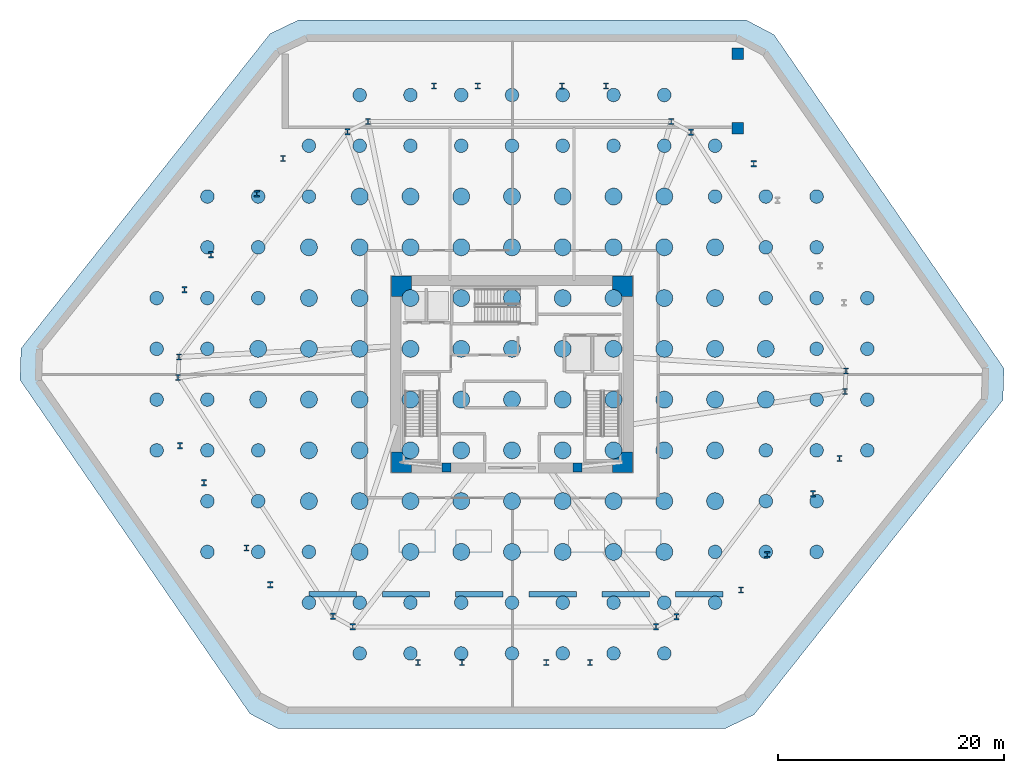
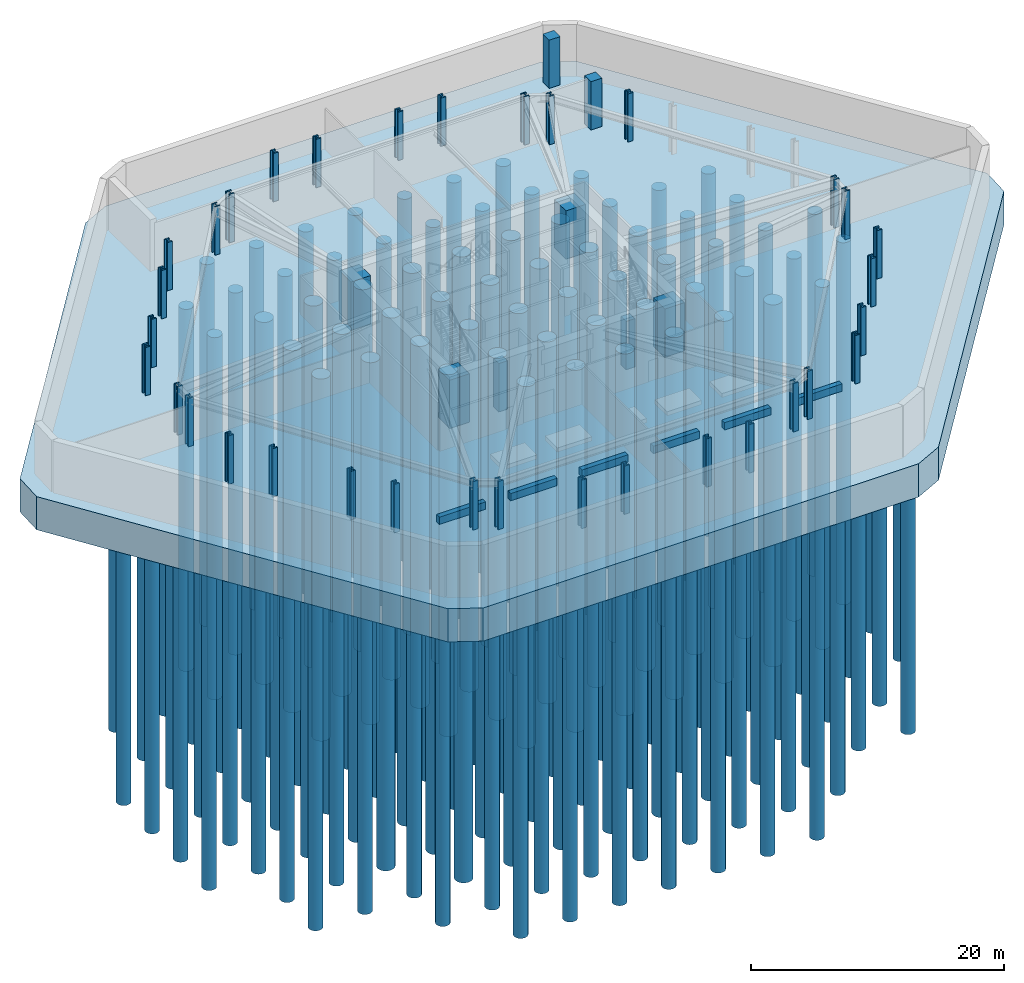
# One storey, part 1 of 8: 144 piles, 41 columns, 7 footings.
"""IFC4 building model written with IfcOpenShell, lengths in metres."""

from ifc_helpers import new_model, si_unit, direction, frame, origin, origin_2d, place, context, subcontext, project, spatial, polyline, rectangle, circle, i_section, outline, extrude, source, transform, mapped, material, layer, layer_set, material_profile, profile_set, type_object, type_shapes, element, save


model = new_model("IFC4")

# Units and contexts
model_context = context("Model", 3, precision=1e-05, world=origin(), true_north=direction((0.0, 1.0)))
body_context = subcontext(model_context, "Body", "Model", "MODEL_VIEW")
ifc_project = project(units=[si_unit("LENGTHUNIT", "METRE"), si_unit("AREAUNIT", "SQUARE_METRE"), si_unit("VOLUMEUNIT", "CUBIC_METRE"), si_unit("PLANEANGLEUNIT", "RADIAN"), si_unit("MASSUNIT", "GRAM", prefix="KILO")], contexts=[model_context])

# Site, building, storey
site_placement = place(None, origin())
site = spatial("IfcSite", under=ifc_project, at=site_placement, CompositionType="ELEMENT")
building_placement = place(site_placement, origin())
building = spatial("IfcBuilding", under=site, at=building_placement, Name="Durnholm Broadcast Tower", CompositionType="ELEMENT")
storey_placement = place(building_placement, frame((0.0, 0.0, -10.0)))
storey = spatial("IfcBuildingStorey", under=building, at=storey_placement, Name="B02", CompositionType="ELEMENT", Elevation=-10.0)

# Footing
ifc_material_1 = material(Name="Concrete C50/60", Category="concrete")
ifc_layer = layer(ifc_material_1, 3.199951171875)
ifc_layer_set = layer_set([ifc_layer], Name="Concrete C50/60")
footing_type_1 = type_object("IfcFootingType", Name="FTG-MAT-3200", PredefinedType="PILE_CAP", material=ifc_layer_set)
footing_placement = place(storey_placement, frame((0.0, 0.0, -3.199951171875)))
element("IfcFooting", 1, at=footing_placement, inside=storey, type_object=footing_type_1, Name="B02 unified piled mat foundation MAT-1", PredefinedType="PILE_CAP", context=body_context, shape_type="SweptSolid", body=[
    extrude(outline(polyline([(-23.22802734375, -30.09765625), (-20.74951171875, -31.39990234375), (18.9296875, -31.39990234375), (21.4501953125, -30.180419921875), (43.52001953125, -2.287841796875), (43.6123046875, 0.510498046875), (23.22802734375, 30.09765625), (20.74951171875, 31.39990234375), (-18.9296875, 31.39990234375), (-21.4501953125, 30.180419921875), (-43.52001953125, 2.287841796875), (-43.6123046875, -0.510498046875), (-23.22802734375, -30.09765625)])), origin(), (0.0, 0.0, 1.0), 3.199951171875),
])

# Piles
ifc_material_profile_1 = material_profile(ifc_material_1, circle(Radius=0.60009765625, at=origin_2d()), Name="PILE1200")
ifc_profile_set_1 = profile_set([ifc_material_profile_1], Name="Concrete C50/60")
pile_type_1 = type_object("IfcPileType", Name="PILE-P2", PredefinedType="BORED", material=ifc_profile_set_1)
shared_shape_1 = source(origin(), body_context, "Body", "SweptSolid", [
    extrude(circle(Radius=0.60009765625, at=origin_2d()), origin(), (0.0, 0.0, 1.0), 34.89990234375),
])
type_shapes(pile_type_1, [shared_shape_1])
for number, where, z_axis, x_axis, name in (
    (2, (-13.5, -24.75, -3.10009765625), (0.0, 0.0, -1.0), (1.0, 0.0, 0.0), "B02 bored drilled shaft P2 001"),
    (3, (-9.0, -24.75, -3.10009765625), (0.0, 0.0, -1.0), (1.0, 0.0, 0.0), "B02 bored drilled shaft P2 002"),
    (4, (-4.5, -24.75, -3.10009765625), (0.0, 0.0, -1.0), (1.0, 0.0, 0.0), "B02 bored drilled shaft P2 003"),
    (5, (0.0, -24.75, -3.10009765625), (0.0, 0.0, -1.0), (1.0, 0.0, 0.0), "B02 bored drilled shaft P2 004"),
    (6, (4.5, -24.75, -3.10009765625), (0.0, 0.0, -1.0), (1.0, 0.0, 0.0), "B02 bored drilled shaft P2 005"),
    (7, (9.0, -24.75, -3.10009765625), (0.0, 0.0, -1.0), (1.0, 0.0, 0.0), "B02 bored drilled shaft P2 006"),
    (8, (13.5, -24.75, -3.10009765625), (0.0, 0.0, -1.0), (1.0, 0.0, 0.0), "B02 bored drilled shaft P2 007"),
    (9, (-18.0, -20.25, -3.10009765625), (0.0, 0.0, -1.0), (1.0, 0.0, 0.0), "B02 bored drilled shaft P2 008"),
    (10, (-13.5, -20.25, -3.10009765625), (0.0, 0.0, -1.0), (1.0, 0.0, 0.0), "B02 bored drilled shaft P2 009"),
    (11, (-9.0, -20.25, -3.10009765625), (0.0, 0.0, -1.0), (1.0, 0.0, 0.0), "B02 bored drilled shaft P2 010"),
    (12, (-4.5, -20.25, -3.10009765625), (0.0, 0.0, -1.0), (1.0, 0.0, 0.0), "B02 bored drilled shaft P2 011"),
    (13, (0.0, -20.25, -3.10009765625), (0.0, 0.0, -1.0), (1.0, 0.0, 0.0), "B02 bored drilled shaft P2 012"),
    (14, (4.5, -20.25, -3.10009765625), (0.0, 0.0, -1.0), (1.0, 0.0, 0.0), "B02 bored drilled shaft P2 013"),
    (15, (9.0, -20.25, -3.10009765625), (0.0, 0.0, -1.0), (1.0, 0.0, 0.0), "B02 bored drilled shaft P2 014"),
    (16, (13.5, -20.25, -3.10009765625), (0.0, 0.0, -1.0), (1.0, 0.0, 0.0), "B02 bored drilled shaft P2 015"),
    (17, (18.0, -20.25, -3.10009765625), (0.0, 0.0, -1.0), (1.0, 0.0, 0.0), "B02 bored drilled shaft P2 016"),
    (18, (-27.0, -15.75, -3.10009765625), (0.0, 0.0, -1.0), (1.0, 0.0, 0.0), "B02 bored drilled shaft P2 017"),
    (19, (-22.5, -15.75, -3.10009765625), (0.0, 0.0, -1.0), (1.0, 0.0, 0.0), "B02 bored drilled shaft P2 018"),
    (20, (-18.0, -15.75, -3.10009765625), (0.0, 0.0, -1.0), (1.0, 0.0, 0.0), "B02 bored drilled shaft P2 019"),
    (21, (18.0, -15.75, -3.10009765625), (0.0, 0.0, -1.0), (1.0, 0.0, 0.0), "B02 bored drilled shaft P2 027"),
    (22, (22.5, -15.75, -3.10009765625), (0.0, 0.0, -1.0), (1.0, 0.0, 0.0), "B02 bored drilled shaft P2 028"),
    (23, (27.0, -15.75, -3.10009765625), (0.0, 0.0, -1.0), (1.0, 0.0, 0.0), "B02 bored drilled shaft P2 029"),
    (24, (-27.0, -11.25, -3.10009765625), (0.0, 0.0, -1.0), (1.0, 0.0, 0.0), "B02 bored drilled shaft P2 030"),
    (25, (-22.5, -11.25, -3.10009765625), (0.0, 0.0, -1.0), (1.0, 0.0, 0.0), "B02 bored drilled shaft P2 031"),
    (26, (22.5, -11.25, -3.10009765625), (0.0, 0.0, -1.0), (1.0, 0.0, 0.0), "B02 bored drilled shaft P2 041"),
    (27, (27.0, -11.25, -3.10009765625), (0.0, 0.0, -1.0), (1.0, 0.0, 0.0), "B02 bored drilled shaft P2 042"),
    (28, (-31.5, -6.75, -3.10009765625), (0.0, 0.0, -1.0), (1.0, 0.0, 0.0), "B02 bored drilled shaft P2 043"),
    (29, (-27.0, -6.75, -3.10009765625), (0.0, 0.0, -1.0), (1.0, 0.0, 0.0), "B02 bored drilled shaft P2 044"),
    (30, (-22.5, -6.75, -3.10009765625), (0.0, 0.0, -1.0), (1.0, 0.0, 0.0), "B02 bored drilled shaft P2 045"),
    (31, (22.5, -6.75, -3.10009765625), (0.0, 0.0, -1.0), (1.0, 0.0, 0.0), "B02 bored drilled shaft P2 055"),
    (32, (27.0, -6.75, -3.10009765625), (0.0, 0.0, -1.0), (1.0, 0.0, 0.0), "B02 bored drilled shaft P2 056"),
    (33, (31.5, -6.75, -3.10009765625), (0.0, 0.0, -1.0), (1.0, 0.0, 0.0), "B02 bored drilled shaft P2 057"),
    (34, (-31.5, -2.25, -3.10009765625), (0.0, 0.0, -1.0), (1.0, 0.0, 0.0), "B02 bored drilled shaft P2 058"),
    (35, (-27.0, -2.25, -3.10009765625), (0.0, 0.0, -1.0), (1.0, 0.0, 0.0), "B02 bored drilled shaft P2 059"),
    (36, (27.0, -2.25, -3.10009765625), (0.0, 0.0, -1.0), (1.0, 0.0, 0.0), "B02 bored drilled shaft P2 071"),
    (37, (31.5, -2.25, -3.10009765625), (0.0, 0.0, -1.0), (1.0, 0.0, 0.0), "B02 bored drilled shaft P2 072"),
    (38, (-31.5, 2.25, -3.10009765625), (0.0, 0.0, -1.0), (1.0, 0.0, 0.0), "B02 bored drilled shaft P2 073"),
    (39, (-27.0, 2.25, -3.10009765625), (0.0, 0.0, -1.0), (1.0, 0.0, 0.0), "B02 bored drilled shaft P2 074"),
    (40, (27.0, 2.25, -3.10009765625), (0.0, 0.0, -1.0), (1.0, 0.0, 0.0), "B02 bored drilled shaft P2 086"),
    (41, (31.5, 2.25, -3.10009765625), (0.0, 0.0, -1.0), (1.0, 0.0, 0.0), "B02 bored drilled shaft P2 087"),
    (42, (-31.5, 6.75, -3.10009765625), (0.0, 0.0, -1.0), (1.0, 0.0, 0.0), "B02 bored drilled shaft P2 088"),
    (43, (-27.0, 6.75, -3.10009765625), (0.0, 0.0, -1.0), (1.0, 0.0, 0.0), "B02 bored drilled shaft P2 089"),
    (44, (-22.5, 6.75, -3.10009765625), (0.0, 0.0, -1.0), (1.0, 0.0, 0.0), "B02 bored drilled shaft P2 090"),
    (45, (22.5, 6.75, -3.10009765625), (0.0, 0.0, -1.0), (1.0, 0.0, 0.0), "B02 bored drilled shaft P2 100"),
    (46, (27.0, 6.75, -3.10009765625), (0.0, 0.0, -1.0), (1.0, 0.0, 0.0), "B02 bored drilled shaft P2 101"),
    (47, (31.5, 6.75, -3.10009765625), (0.0, 0.0, -1.0), (1.0, 0.0, 0.0), "B02 bored drilled shaft P2 102"),
    (48, (-27.0, 11.25, -3.10009765625), (0.0, 0.0, -1.0), (1.0, 0.0, 0.0), "B02 bored drilled shaft P2 103"),
    (49, (-22.5, 11.25, -3.10009765625), (0.0, 0.0, -1.0), (1.0, 0.0, 0.0), "B02 bored drilled shaft P2 104"),
    (50, (22.5, 11.25, -3.10009765625), (0.0, 0.0, -1.0), (1.0, 0.0, 0.0), "B02 bored drilled shaft P2 114"),
    (51, (27.0, 11.25, -3.10009765625), (0.0, 0.0, -1.0), (1.0, 0.0, 0.0), "B02 bored drilled shaft P2 115"),
    (52, (-27.0, 15.75, -3.10009765625), (0.0, 0.0, -1.0), (1.0, 0.0, 0.0), "B02 bored drilled shaft P2 116"),
    (53, (-22.5, 15.75, -3.10009765625), (0.0, 0.0, -1.0), (1.0, 0.0, 0.0), "B02 bored drilled shaft P2 117"),
    (54, (-18.0, 15.75, -3.10009765625), (0.0, 0.0, -1.0), (1.0, 0.0, 0.0), "B02 bored drilled shaft P2 118"),
    (55, (18.0, 15.75, -3.10009765625), (0.0, 0.0, -1.0), (1.0, 0.0, 0.0), "B02 bored drilled shaft P2 126"),
    (56, (22.5, 15.75, -3.10009765625), (0.0, 0.0, -1.0), (1.0, 0.0, 0.0), "B02 bored drilled shaft P2 127"),
    (57, (27.0, 15.75, -3.10009765625), (0.0, 0.0, -1.0), (1.0, 0.0, 0.0), "B02 bored drilled shaft P2 128"),
    (58, (-18.0, 20.25, -3.10009765625), (0.0, 0.0, -1.0), (1.0, 0.0, 0.0), "B02 bored drilled shaft P2 129"),
    (59, (-13.5, 20.25, -3.10009765625), (0.0, 0.0, -1.0), (1.0, 0.0, 0.0), "B02 bored drilled shaft P2 130"),
    (60, (-9.0, 20.25, -3.10009765625), (0.0, 0.0, -1.0), (1.0, 0.0, 0.0), "B02 bored drilled shaft P2 131"),
    (61, (-4.5, 20.25, -3.10009765625), (0.0, 0.0, -1.0), (1.0, 0.0, 0.0), "B02 bored drilled shaft P2 132"),
    (62, (0.0, 20.25, -3.10009765625), (0.0, 0.0, -1.0), (1.0, 0.0, 0.0), "B02 bored drilled shaft P2 133"),
    (63, (4.5, 20.25, -3.10009765625), (0.0, 0.0, -1.0), (1.0, 0.0, 0.0), "B02 bored drilled shaft P2 134"),
    (64, (9.0, 20.25, -3.10009765625), (0.0, 0.0, -1.0), (1.0, 0.0, 0.0), "B02 bored drilled shaft P2 135"),
    (65, (13.5, 20.25, -3.10009765625), (0.0, 0.0, -1.0), (1.0, 0.0, 0.0), "B02 bored drilled shaft P2 136"),
    (66, (18.0, 20.25, -3.10009765625), (0.0, 0.0, -1.0), (1.0, 0.0, 0.0), "B02 bored drilled shaft P2 137"),
    (67, (-13.5, 24.75, -3.10009765625), (0.0, 0.0, -1.0), (1.0, 0.0, 0.0), "B02 bored drilled shaft P2 138"),
    (68, (-9.0, 24.75, -3.10009765625), (0.0, 0.0, -1.0), (1.0, 0.0, 0.0), "B02 bored drilled shaft P2 139"),
    (69, (-4.5, 24.75, -3.10009765625), (0.0, 0.0, -1.0), (1.0, 0.0, 0.0), "B02 bored drilled shaft P2 140"),
    (70, (0.0, 24.75, -3.10009765625), (0.0, 0.0, -1.0), (1.0, 0.0, 0.0), "B02 bored drilled shaft P2 141"),
    (71, (4.5, 24.75, -3.10009765625), (0.0, 0.0, -1.0), (1.0, 0.0, 0.0), "B02 bored drilled shaft P2 142"),
    (72, (9.0, 24.75, -3.10009765625), (0.0, 0.0, -1.0), (1.0, 0.0, 0.0), "B02 bored drilled shaft P2 143"),
    (73, (13.5, 24.75, -3.10009765625), (0.0, 0.0, -1.0), (1.0, 0.0, 0.0), "B02 bored drilled shaft P2 144"),
):
    element("IfcPile", number, at=place(storey_placement, frame(where, z_axis=z_axis, x_axis=x_axis)), inside=storey, type_object=pile_type_1, Name=name, PredefinedType="BORED", context=body_context, shape_type="MappedRepresentation", body=[
        mapped(shared_shape_1, transform((0.0, 0.0, 0.0), x_axis=(1.0, 0.0, 0.0), y_axis=(0.0, 1.0, 0.0), z_axis=(0.0, 0.0, 1.0), scale=1.0)),
    ])
ifc_material_profile_2 = material_profile(ifc_material_1, circle(Radius=0.75, at=origin_2d()), Name="PILE1500")
ifc_profile_set_2 = profile_set([ifc_material_profile_2], Name="Concrete C50/60")
pile_type_2 = type_object("IfcPileType", Name="PILE-P1", PredefinedType="BORED", material=ifc_profile_set_2)
shared_shape_2 = source(origin(), body_context, "Body", "SweptSolid", [
    extrude(circle(Radius=0.75, at=origin_2d()), origin(), (0.0, 0.0, 1.0), 34.89990234375),
])
type_shapes(pile_type_2, [shared_shape_2])
for number, where, z_axis, x_axis, name in (
    (74, (-13.5, -15.75, -3.10009765625), (0.0, 0.0, -1.0), (1.0, 0.0, 0.0), "B02 bored drilled shaft P1 020"),
    (75, (-9.0, -15.75, -3.10009765625), (0.0, 0.0, -1.0), (1.0, 0.0, 0.0), "B02 bored drilled shaft P1 021"),
    (76, (-4.5, -15.75, -3.10009765625), (0.0, 0.0, -1.0), (1.0, 0.0, 0.0), "B02 bored drilled shaft P1 022"),
    (77, (0.0, -15.75, -3.10009765625), (0.0, 0.0, -1.0), (1.0, 0.0, 0.0), "B02 bored drilled shaft P1 023"),
    (78, (4.5, -15.75, -3.10009765625), (0.0, 0.0, -1.0), (1.0, 0.0, 0.0), "B02 bored drilled shaft P1 024"),
    (79, (9.0, -15.75, -3.10009765625), (0.0, 0.0, -1.0), (1.0, 0.0, 0.0), "B02 bored drilled shaft P1 025"),
    (80, (13.5, -15.75, -3.10009765625), (0.0, 0.0, -1.0), (1.0, 0.0, 0.0), "B02 bored drilled shaft P1 026"),
    (81, (-18.0, -11.25, -3.10009765625), (0.0, 0.0, -1.0), (1.0, 0.0, 0.0), "B02 bored drilled shaft P1 032"),
    (82, (-13.5, -11.25, -3.10009765625), (0.0, 0.0, -1.0), (1.0, 0.0, 0.0), "B02 bored drilled shaft P1 033"),
    (83, (-9.0, -11.25, -3.10009765625), (0.0, 0.0, -1.0), (1.0, 0.0, 0.0), "B02 bored drilled shaft P1 034"),
    (84, (-4.5, -11.25, -3.10009765625), (0.0, 0.0, -1.0), (1.0, 0.0, 0.0), "B02 bored drilled shaft P1 035"),
    (85, (0.0, -11.25, -3.10009765625), (0.0, 0.0, -1.0), (1.0, 0.0, 0.0), "B02 bored drilled shaft P1 036"),
    (86, (4.5, -11.25, -3.10009765625), (0.0, 0.0, -1.0), (1.0, 0.0, 0.0), "B02 bored drilled shaft P1 037"),
    (87, (9.0, -11.25, -3.10009765625), (0.0, 0.0, -1.0), (1.0, 0.0, 0.0), "B02 bored drilled shaft P1 038"),
    (88, (13.5, -11.25, -3.10009765625), (0.0, 0.0, -1.0), (1.0, 0.0, 0.0), "B02 bored drilled shaft P1 039"),
    (89, (18.0, -11.25, -3.10009765625), (0.0, 0.0, -1.0), (1.0, 0.0, 0.0), "B02 bored drilled shaft P1 040"),
    (90, (-18.0, -6.75, -3.10009765625), (0.0, 0.0, -1.0), (1.0, 0.0, 0.0), "B02 bored drilled shaft P1 046"),
    (91, (-13.5, -6.75, -3.10009765625), (0.0, 0.0, -1.0), (1.0, 0.0, 0.0), "B02 bored drilled shaft P1 047"),
    (92, (-9.0, -6.75, -3.10009765625), (0.0, 0.0, -1.0), (1.0, 0.0, 0.0), "B02 bored drilled shaft P1 048"),
    (93, (-4.5, -6.75, -3.10009765625), (0.0, 0.0, -1.0), (1.0, 0.0, 0.0), "B02 bored drilled shaft P1 049"),
    (94, (0.0, -6.75, -3.10009765625), (0.0, 0.0, -1.0), (1.0, 0.0, 0.0), "B02 bored drilled shaft P1 050"),
    (95, (4.5, -6.75, -3.10009765625), (0.0, 0.0, -1.0), (1.0, 0.0, 0.0), "B02 bored drilled shaft P1 051"),
    (96, (9.0, -6.75, -3.10009765625), (0.0, 0.0, -1.0), (1.0, 0.0, 0.0), "B02 bored drilled shaft P1 052"),
    (97, (13.5, -6.75, -3.10009765625), (0.0, 0.0, -1.0), (1.0, 0.0, 0.0), "B02 bored drilled shaft P1 053"),
    (98, (18.0, -6.75, -3.10009765625), (0.0, 0.0, -1.0), (1.0, 0.0, 0.0), "B02 bored drilled shaft P1 054"),
    (99, (-22.5, -2.25, -3.10009765625), (0.0, 0.0, -1.0), (1.0, 0.0, 0.0), "B02 bored drilled shaft P1 060"),
    (100, (-18.0, -2.25, -3.10009765625), (0.0, 0.0, -1.0), (1.0, 0.0, 0.0), "B02 bored drilled shaft P1 061"),
    (101, (-13.5, -2.25, -3.10009765625), (0.0, 0.0, -1.0), (1.0, 0.0, 0.0), "B02 bored drilled shaft P1 062"),
    (102, (-9.0, -2.25, -3.10009765625), (0.0, 0.0, -1.0), (1.0, 0.0, 0.0), "B02 bored drilled shaft P1 063"),
    (103, (-4.5, -2.25, -3.10009765625), (0.0, 0.0, -1.0), (1.0, 0.0, 0.0), "B02 bored drilled shaft P1 064"),
    (104, (0.0, -2.25, -3.10009765625), (0.0, 0.0, -1.0), (1.0, 0.0, 0.0), "B02 bored drilled shaft P1 065"),
    (105, (4.5, -2.25, -3.10009765625), (0.0, 0.0, -1.0), (1.0, 0.0, 0.0), "B02 bored drilled shaft P1 066"),
    (106, (9.0, -2.25, -3.10009765625), (0.0, 0.0, -1.0), (1.0, 0.0, 0.0), "B02 bored drilled shaft P1 067"),
    (107, (13.5, -2.25, -3.10009765625), (0.0, 0.0, -1.0), (1.0, 0.0, 0.0), "B02 bored drilled shaft P1 068"),
    (108, (18.0, -2.25, -3.10009765625), (0.0, 0.0, -1.0), (1.0, 0.0, 0.0), "B02 bored drilled shaft P1 069"),
    (109, (22.5, -2.25, -3.10009765625), (0.0, 0.0, -1.0), (1.0, 0.0, 0.0), "B02 bored drilled shaft P1 070"),
    (110, (-22.5, 2.25, -3.10009765625), (0.0, 0.0, -1.0), (1.0, 0.0, 0.0), "B02 bored drilled shaft P1 075"),
    (111, (-18.0, 2.25, -3.10009765625), (0.0, 0.0, -1.0), (1.0, 0.0, 0.0), "B02 bored drilled shaft P1 076"),
    (112, (-13.5, 2.25, -3.10009765625), (0.0, 0.0, -1.0), (1.0, 0.0, 0.0), "B02 bored drilled shaft P1 077"),
    (113, (-9.0, 2.25, -3.10009765625), (0.0, 0.0, -1.0), (1.0, 0.0, 0.0), "B02 bored drilled shaft P1 078"),
    (114, (-4.5, 2.25, -3.10009765625), (0.0, 0.0, -1.0), (1.0, 0.0, 0.0), "B02 bored drilled shaft P1 079"),
    (115, (0.0, 2.25, -3.10009765625), (0.0, 0.0, -1.0), (1.0, 0.0, 0.0), "B02 bored drilled shaft P1 080"),
    (116, (4.5, 2.25, -3.10009765625), (0.0, 0.0, -1.0), (1.0, 0.0, 0.0), "B02 bored drilled shaft P1 081"),
    (117, (9.0, 2.25, -3.10009765625), (0.0, 0.0, -1.0), (1.0, 0.0, 0.0), "B02 bored drilled shaft P1 082"),
    (118, (13.5, 2.25, -3.10009765625), (0.0, 0.0, -1.0), (1.0, 0.0, 0.0), "B02 bored drilled shaft P1 083"),
    (119, (18.0, 2.25, -3.10009765625), (0.0, 0.0, -1.0), (1.0, 0.0, 0.0), "B02 bored drilled shaft P1 084"),
    (120, (22.5, 2.25, -3.10009765625), (0.0, 0.0, -1.0), (1.0, 0.0, 0.0), "B02 bored drilled shaft P1 085"),
    (121, (-18.0, 6.75, -3.10009765625), (0.0, 0.0, -1.0), (1.0, 0.0, 0.0), "B02 bored drilled shaft P1 091"),
    (122, (-13.5, 6.75, -3.10009765625), (0.0, 0.0, -1.0), (1.0, 0.0, 0.0), "B02 bored drilled shaft P1 092"),
    (123, (-9.0, 6.75, -3.10009765625), (0.0, 0.0, -1.0), (1.0, 0.0, 0.0), "B02 bored drilled shaft P1 093"),
    (124, (-4.5, 6.75, -3.10009765625), (0.0, 0.0, -1.0), (1.0, 0.0, 0.0), "B02 bored drilled shaft P1 094"),
    (125, (0.0, 6.75, -3.10009765625), (0.0, 0.0, -1.0), (1.0, 0.0, 0.0), "B02 bored drilled shaft P1 095"),
    (126, (4.5, 6.75, -3.10009765625), (0.0, 0.0, -1.0), (1.0, 0.0, 0.0), "B02 bored drilled shaft P1 096"),
    (127, (9.0, 6.75, -3.10009765625), (0.0, 0.0, -1.0), (1.0, 0.0, 0.0), "B02 bored drilled shaft P1 097"),
    (128, (13.5, 6.75, -3.10009765625), (0.0, 0.0, -1.0), (1.0, 0.0, 0.0), "B02 bored drilled shaft P1 098"),
    (129, (18.0, 6.75, -3.10009765625), (0.0, 0.0, -1.0), (1.0, 0.0, 0.0), "B02 bored drilled shaft P1 099"),
    (130, (-18.0, 11.25, -3.10009765625), (0.0, 0.0, -1.0), (1.0, 0.0, 0.0), "B02 bored drilled shaft P1 105"),
    (131, (-13.5, 11.25, -3.10009765625), (0.0, 0.0, -1.0), (1.0, 0.0, 0.0), "B02 bored drilled shaft P1 106"),
    (132, (-9.0, 11.25, -3.10009765625), (0.0, 0.0, -1.0), (1.0, 0.0, 0.0), "B02 bored drilled shaft P1 107"),
    (133, (-4.5, 11.25, -3.10009765625), (0.0, 0.0, -1.0), (1.0, 0.0, 0.0), "B02 bored drilled shaft P1 108"),
    (134, (0.0, 11.25, -3.10009765625), (0.0, 0.0, -1.0), (1.0, 0.0, 0.0), "B02 bored drilled shaft P1 109"),
    (135, (4.5, 11.25, -3.10009765625), (0.0, 0.0, -1.0), (1.0, 0.0, 0.0), "B02 bored drilled shaft P1 110"),
    (136, (9.0, 11.25, -3.10009765625), (0.0, 0.0, -1.0), (1.0, 0.0, 0.0), "B02 bored drilled shaft P1 111"),
    (137, (13.5, 11.25, -3.10009765625), (0.0, 0.0, -1.0), (1.0, 0.0, 0.0), "B02 bored drilled shaft P1 112"),
    (138, (18.0, 11.25, -3.10009765625), (0.0, 0.0, -1.0), (1.0, 0.0, 0.0), "B02 bored drilled shaft P1 113"),
    (139, (-13.5, 15.75, -3.10009765625), (0.0, 0.0, -1.0), (1.0, 0.0, 0.0), "B02 bored drilled shaft P1 119"),
    (140, (-9.0, 15.75, -3.10009765625), (0.0, 0.0, -1.0), (1.0, 0.0, 0.0), "B02 bored drilled shaft P1 120"),
    (141, (-4.5, 15.75, -3.10009765625), (0.0, 0.0, -1.0), (1.0, 0.0, 0.0), "B02 bored drilled shaft P1 121"),
    (142, (0.0, 15.75, -3.10009765625), (0.0, 0.0, -1.0), (1.0, 0.0, 0.0), "B02 bored drilled shaft P1 122"),
    (143, (4.5, 15.75, -3.10009765625), (0.0, 0.0, -1.0), (1.0, 0.0, 0.0), "B02 bored drilled shaft P1 123"),
    (144, (9.0, 15.75, -3.10009765625), (0.0, 0.0, -1.0), (1.0, 0.0, 0.0), "B02 bored drilled shaft P1 124"),
    (145, (13.5, 15.75, -3.10009765625), (0.0, 0.0, -1.0), (1.0, 0.0, 0.0), "B02 bored drilled shaft P1 125"),
):
    element("IfcPile", number, at=place(storey_placement, frame(where, z_axis=z_axis, x_axis=x_axis)), inside=storey, type_object=pile_type_2, Name=name, PredefinedType="BORED", context=body_context, shape_type="MappedRepresentation", body=[
        mapped(shared_shape_2, transform((0.0, 0.0, 0.0), x_axis=(1.0, 0.0, 0.0), y_axis=(0.0, 1.0, 0.0), z_axis=(0.0, 0.0, 1.0), scale=1.0)),
    ])

# Footings
ifc_material_profile_3 = material_profile(ifc_material_1, rectangle(XDim=0.449951171875, YDim=0.699951171875, at=origin_2d()), Name="RC700X450")
ifc_profile_set_3 = profile_set([ifc_material_profile_3], Name="Concrete C50/60")
footing_type_2 = type_object("IfcFootingType", Name="FTG-GB-900", PredefinedType="FOOTING_BEAM", material=ifc_profile_set_3)
shared_shape_3 = source(origin(), body_context, "Body", "SweptSolid", [
    extrude(rectangle(XDim=0.449951171875, YDim=0.699951171875, at=origin_2d()), origin(), (0.0, 0.0, 1.0), 4.199951171875),
])
type_shapes(footing_type_2, [shared_shape_3])
for number, where, z_axis, x_axis, name in (
    (146, (-18.0, -19.5, 0.35009765625), (1.0, 0.0, 0.0), (0.0, 1.0, 0.0), "B02 mat stiffening footing beam 1"),
    (147, (-11.5, -19.5, 0.35009765625), (1.0, 0.0, 0.0), (0.0, 1.0, 0.0), "B02 mat stiffening footing beam 2"),
    (148, (-5.0, -19.5, 0.35009765625), (1.0, 0.0, 0.0), (0.0, 1.0, 0.0), "B02 mat stiffening footing beam 3"),
    (149, (1.5, -19.5, 0.35009765625), (1.0, 0.0, 0.0), (0.0, 1.0, 0.0), "B02 mat stiffening footing beam 4"),
    (150, (8.0, -19.5, 0.35009765625), (1.0, 0.0, 0.0), (0.0, 1.0, 0.0), "B02 mat stiffening footing beam 5"),
    (151, (14.5, -19.5, 0.35009765625), (1.0, 0.0, 0.0), (0.0, 1.0, 0.0), "B02 mat stiffening footing beam 6"),
):
    element("IfcFooting", number, at=place(storey_placement, frame(where, z_axis=z_axis, x_axis=x_axis)), inside=storey, type_object=footing_type_2, Name=name, PredefinedType="FOOTING_BEAM", context=body_context, shape_type="MappedRepresentation", body=[
        mapped(shared_shape_3, transform((0.0, 0.0, 0.0), x_axis=(1.0, 0.0, 0.0), y_axis=(0.0, 1.0, 0.0), z_axis=(0.0, 0.0, 1.0), scale=1.0)),
    ])

# Columns
ifc_material_2 = material(Name="Concrete C70/85", Category="concrete")
ifc_material_profile_4 = material_profile(ifc_material_2, rectangle(XDim=1.0, YDim=1.0, at=origin_2d()), Name="RC1000X1000")
ifc_profile_set_4 = profile_set([ifc_material_profile_4], Name="Concrete C70/85")
column_type_1 = type_object("IfcColumnType", Name="COL-CC-1000", PredefinedType="COLUMN", material=ifc_profile_set_4)
shared_shape_4 = source(origin(), body_context, "Body", "SweptSolid", [
    extrude(rectangle(XDim=1.0, YDim=1.0, at=origin_2d()), origin(), (0.0, 0.0, 1.0), 4.64990234375),
])
type_shapes(column_type_1, [shared_shape_4])
for number, where, z_axis, x_axis, name in (
    (152, (20.0, 21.800048828125, 0.0), (0.0, 0.0, 1.0), (1.0, 0.0, 0.0), "B02 vehicle ramp header support column 1"),
    (153, (20.0, 28.39990234375, 0.0), (0.0, 0.0, 1.0), (1.0, 0.0, 0.0), "B02 vehicle ramp header support column 2"),
):
    element("IfcColumn", number, at=place(storey_placement, frame(where, z_axis=z_axis, x_axis=x_axis)), inside=storey, type_object=column_type_1, Name=name, PredefinedType="COLUMN", context=body_context, shape_type="MappedRepresentation", body=[
        mapped(shared_shape_4, transform((0.0, 0.0, 0.0), x_axis=(1.0, 0.0, 0.0), y_axis=(0.0, 1.0, 0.0), z_axis=(0.0, 0.0, 1.0), scale=1.0)),
    ])
ifc_material_profile_5 = material_profile(ifc_material_2, rectangle(XDim=1.800048828125, YDim=1.800048828125, at=origin_2d()), Name="RC1800X1800")
ifc_profile_set_5 = profile_set([ifc_material_profile_5], Name="Concrete C70/85")
column_type_2 = type_object("IfcColumnType", Name="COL-CC-1800", PredefinedType="COLUMN", material=ifc_profile_set_5)
shared_shape_5 = source(origin(), body_context, "Body", "SweptSolid", [
    extrude(rectangle(XDim=1.800048828125, YDim=1.800048828125, at=origin_2d()), origin(), (0.0, 0.0, 1.0), 4.64990234375),
])
type_shapes(column_type_2, [shared_shape_5])
for number, where, z_axis, x_axis, name in (
    (154, (-9.800048828125, -7.800048828125, 0.0), (0.0, 0.0, 1.0), (1.0, 0.0, 0.0), "B02 core corner column 1"),
    (155, (9.800048828125, -7.800048828125, 0.0), (0.0, 0.0, 1.0), (1.0, 0.0, 0.0), "B02 core corner column 2"),
    (156, (9.800048828125, 7.800048828125, 0.0), (0.0, 0.0, 1.0), (1.0, 0.0, 0.0), "B02 core corner column 3"),
    (157, (-9.800048828125, 7.800048828125, 0.0), (0.0, 0.0, 1.0), (1.0, 0.0, 0.0), "B02 core corner column 4"),
):
    element("IfcColumn", number, at=place(storey_placement, frame(where, z_axis=z_axis, x_axis=x_axis)), inside=storey, type_object=column_type_2, Name=name, PredefinedType="COLUMN", context=body_context, shape_type="MappedRepresentation", body=[
        mapped(shared_shape_5, transform((0.0, 0.0, 0.0), x_axis=(1.0, 0.0, 0.0), y_axis=(0.0, 1.0, 0.0), z_axis=(0.0, 0.0, 1.0), scale=1.0)),
    ])
ifc_material_profile_6 = material_profile(ifc_material_2, rectangle(XDim=0.800048828125, YDim=0.800048828125, at=origin_2d()), Name="RC800X800")
ifc_profile_set_6 = profile_set([ifc_material_profile_6], Name="Concrete C70/85")
column_type_3 = type_object("IfcColumnType", Name="COL-CP-800", PredefinedType="PILASTER", material=ifc_profile_set_6)
shared_shape_6 = source(origin(), body_context, "Body", "SweptSolid", [
    extrude(rectangle(XDim=0.800048828125, YDim=0.800048828125, at=origin_2d()), origin(), (0.0, 0.0, 1.0), 4.64990234375),
])
type_shapes(column_type_3, [shared_shape_6])
for number, where, z_axis, x_axis, name in (
    (158, (-5.800048828125, -8.25, 0.0), (0.0, 0.0, 1.0), (1.0, 0.0, 0.0), "B02 core hall structural pilaster 1"),
    (159, (5.800048828125, -8.25, 0.0), (0.0, 0.0, 1.0), (1.0, 0.0, 0.0), "B02 core hall structural pilaster 2"),
):
    element("IfcColumn", number, at=place(storey_placement, frame(where, z_axis=z_axis, x_axis=x_axis)), inside=storey, type_object=column_type_3, Name=name, PredefinedType="PILASTER", context=body_context, shape_type="MappedRepresentation", body=[
        mapped(shared_shape_6, transform((0.0, 0.0, 0.0), x_axis=(1.0, 0.0, 0.0), y_axis=(0.0, 1.0, 0.0), z_axis=(0.0, 0.0, 1.0), scale=1.0)),
    ])
ifc_material_3 = material(Name="Steel ASTM A913 Grade 65", Category="steel")
ifc_material_profile_7 = material_profile(ifc_material_3, i_section(OverallWidth=0.454345703125, OverallDepth=0.569091796875, WebThickness=0.077880859375, FlangeThickness=0.124755859375, FilletRadius=0.030517578125, at=origin_2d()), Name="W14X730")
ifc_profile_set_7 = profile_set([ifc_material_profile_7], Name="Steel ASTM A913 Grade 65")
column_type_4 = type_object("IfcColumnType", Name="STL-SC-W14X730", PredefinedType="COLUMN", material=ifc_profile_set_7)
shared_shape_7 = source(origin(), body_context, "Body", "SweptSolid", [
    extrude(i_section(OverallWidth=0.454345703125, OverallDepth=0.569091796875, WebThickness=0.077880859375, FlangeThickness=0.124755859375, FilletRadius=0.030517578125, at=origin_2d()), origin(), (0.0, 0.0, 1.0), 4.64990234375),
])
type_shapes(column_type_4, [shared_shape_7])
for number, where, z_axis, x_axis, name in (
    (160, (-15.866455078125, -21.45068359375, 0.0), (0.0, 0.0, 1.0), (1.0, 0.0, 0.0), "B02 perimeter hexagonal tube column 01"),
    (161, (-29.590576171875, -0.28857421875, 0.0), (0.0, 0.0, 1.0), (1.0, 0.0, 0.0), "B02 perimeter hexagonal tube column 02"),
    (162, (-29.529296875, 1.530517578125, 0.0), (0.0, 0.0, 1.0), (1.0, 0.0, 0.0), "B02 perimeter hexagonal tube column 03"),
    (163, (-14.594482421875, 21.487548828125, 0.0), (0.0, 0.0, 1.0), (1.0, 0.0, 0.0), "B02 perimeter hexagonal tube column 04"),
    (164, (-12.77197265625, 22.39990234375, 0.0), (0.0, 0.0, 1.0), (1.0, 0.0, 0.0), "B02 perimeter hexagonal tube column 05"),
    (165, (14.119384765625, 22.39990234375, 0.0), (0.0, 0.0, 1.0), (1.0, 0.0, 0.0), "B02 perimeter hexagonal tube column 06"),
    (166, (15.866455078125, 21.45068359375, 0.0), (0.0, 0.0, 1.0), (1.0, 0.0, 0.0), "B02 perimeter hexagonal tube column 07"),
    (167, (29.590576171875, 0.28857421875, 0.0), (0.0, 0.0, 1.0), (1.0, 0.0, 0.0), "B02 perimeter hexagonal tube column 08"),
    (168, (29.529296875, -1.530517578125, 0.0), (0.0, 0.0, 1.0), (1.0, 0.0, 0.0), "B02 perimeter hexagonal tube column 09"),
    (169, (14.594482421875, -21.487548828125, 0.0), (0.0, 0.0, 1.0), (1.0, 0.0, 0.0), "B02 perimeter hexagonal tube column 10"),
    (170, (12.77197265625, -22.39990234375, 0.0), (0.0, 0.0, 1.0), (1.0, 0.0, 0.0), "B02 perimeter hexagonal tube column 11"),
    (171, (-14.119384765625, -22.39990234375, 0.0), (0.0, 0.0, 1.0), (1.0, 0.0, 0.0), "B02 perimeter hexagonal tube column 12"),
    (172, (-8.3330078125, -25.550048828125, 0.0), (0.0, 0.0, 1.0), (1.0, 0.0, 0.0), "B02 stand-off exoskeleton pilotis column F1.1"),
    (173, (-4.444580078125, -25.550048828125, 0.0), (0.0, 0.0, 1.0), (1.0, 0.0, 0.0), "B02 stand-off exoskeleton pilotis column F1.2"),
    (174, (3.041259765625, -25.550048828125, 0.0), (0.0, 0.0, 1.0), (1.0, 0.0, 0.0), "B02 stand-off exoskeleton pilotis column F1.3"),
    (175, (6.9296875, -25.550048828125, 0.0), (0.0, 0.0, 1.0), (1.0, 0.0, 0.0), "B02 stand-off exoskeleton pilotis column F1.4"),
    (176, (20.2978515625, -19.123779296875, 0.0), (0.0, 0.0, 1.0), (1.0, 0.0, 0.0), "B02 stand-off exoskeleton pilotis column F2.1"),
    (177, (22.62744140625, -16.0107421875, 0.0), (0.0, 0.0, 1.0), (1.0, 0.0, 0.0), "B02 stand-off exoskeleton pilotis column F2.2"),
    (178, (26.6875, -10.585693359375, 0.0), (0.0, 0.0, 1.0), (1.0, 0.0, 0.0), "B02 stand-off exoskeleton pilotis column F2.3"),
    (179, (29.01708984375, -7.472412109375, 0.0), (0.0, 0.0, 1.0), (1.0, 0.0, 0.0), "B02 stand-off exoskeleton pilotis column F2.4"),
    (180, (21.42529296875, 18.668212890625, 0.0), (0.0, 0.0, 1.0), (1.0, 0.0, 0.0), "B02 stand-off exoskeleton pilotis column F3.4"),
    (181, (8.3330078125, 25.550048828125, 0.0), (0.0, 0.0, 1.0), (1.0, 0.0, 0.0), "B02 stand-off exoskeleton pilotis column F4.1"),
    (182, (4.444580078125, 25.550048828125, 0.0), (0.0, 0.0, 1.0), (1.0, 0.0, 0.0), "B02 stand-off exoskeleton pilotis column F4.2"),
    (183, (-3.041259765625, 25.550048828125, 0.0), (0.0, 0.0, 1.0), (1.0, 0.0, 0.0), "B02 stand-off exoskeleton pilotis column F4.3"),
    (184, (-6.9296875, 25.550048828125, 0.0), (0.0, 0.0, 1.0), (1.0, 0.0, 0.0), "B02 stand-off exoskeleton pilotis column F4.4"),
    (185, (-20.2978515625, 19.123779296875, 0.0), (0.0, 0.0, 1.0), (1.0, 0.0, 0.0), "B02 stand-off exoskeleton pilotis column F5.1"),
    (186, (-22.62744140625, 16.0107421875, 0.0), (0.0, 0.0, 1.0), (1.0, 0.0, 0.0), "B02 stand-off exoskeleton pilotis column F5.2"),
    (187, (-26.6875, 10.585693359375, 0.0), (0.0, 0.0, 1.0), (1.0, 0.0, 0.0), "B02 stand-off exoskeleton pilotis column F5.3"),
    (188, (-29.01708984375, 7.472412109375, 0.0), (0.0, 0.0, 1.0), (1.0, 0.0, 0.0), "B02 stand-off exoskeleton pilotis column F5.4"),
    (189, (-29.42041015625, -6.340087890625, 0.0), (0.0, 0.0, 1.0), (1.0, 0.0, 0.0), "B02 stand-off exoskeleton pilotis column F6.1"),
    (190, (-27.3046875, -9.6025390625, 0.0), (0.0, 0.0, 1.0), (1.0, 0.0, 0.0), "B02 stand-off exoskeleton pilotis column F6.2"),
    (191, (-23.541015625, -15.40576171875, 0.0), (0.0, 0.0, 1.0), (1.0, 0.0, 0.0), "B02 stand-off exoskeleton pilotis column F6.3"),
    (192, (-21.42529296875, -18.668212890625, 0.0), (0.0, 0.0, 1.0), (1.0, 0.0, 0.0), "B02 stand-off exoskeleton pilotis column F6.4"),
):
    element("IfcColumn", number, at=place(storey_placement, frame(where, z_axis=z_axis, x_axis=x_axis)), inside=storey, type_object=column_type_4, Name=name, PredefinedType="COLUMN", context=body_context, shape_type="MappedRepresentation", body=[
        mapped(shared_shape_7, transform((0.0, 0.0, 0.0), x_axis=(1.0, 0.0, 0.0), y_axis=(0.0, 1.0, 0.0), z_axis=(0.0, 0.0, 1.0), scale=1.0)),
    ])

save(model, "model.ifc")
